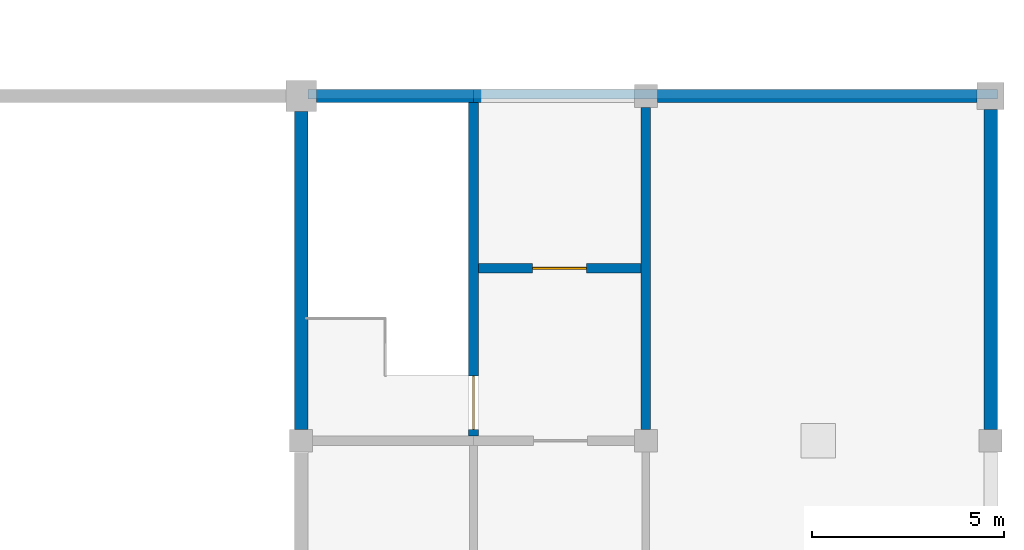
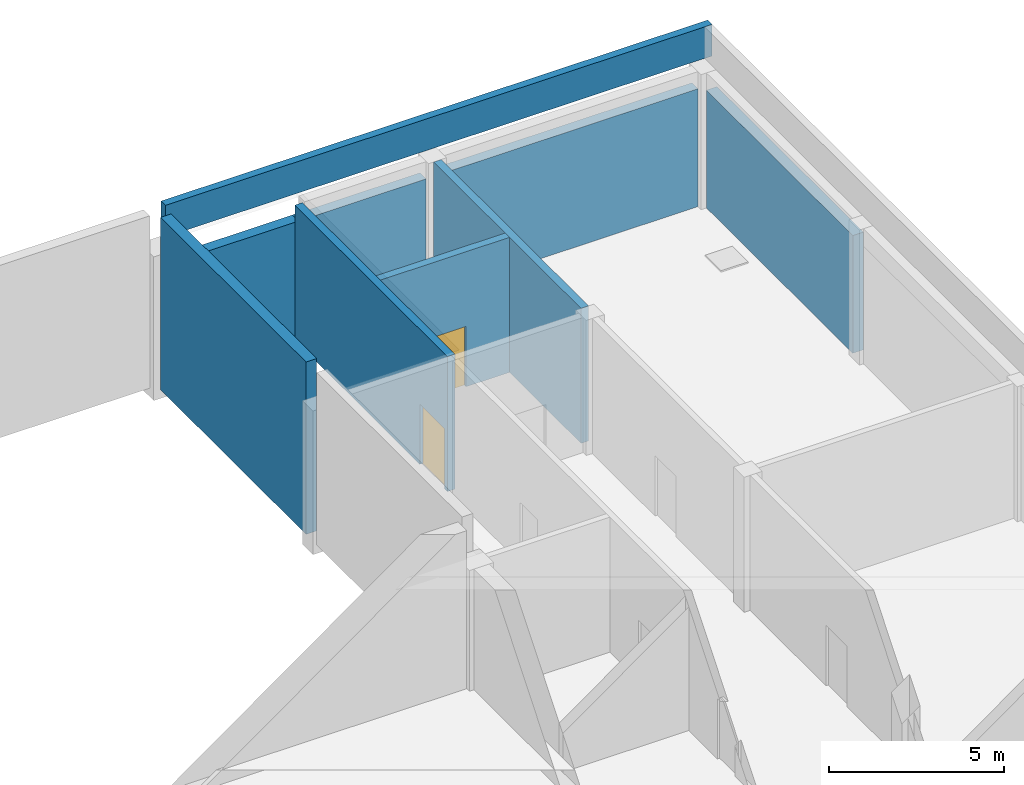
# One storey, part 28 of 35: 9 walls, 2 doors, 2 openings.
"""IFC4 building model written with IfcOpenShell, lengths in metres."""

import ifcopenshell
import ifcopenshell.guid

model = None  # the IFC model being written
_history = None  # IfcOwnerHistory: only IFC2X3 demands one
_inside = {}  # id of a spatial element -> (the spatial element, [elements in it])
_under = {}  # id of a project, library or spatial element -> (it, [spatial elements below it])
_declared = {}  # id of a project -> (the project, [libraries it declares])
_typed = {}  # id of a type object -> (the type object, [elements of that type])
_made_of = {}  # id of a material, layer set ... -> (it, [elements and type objects made of it])


def new_model(schema):
    """Start an empty IFC model of exactly this schema.

    Asked for "IFC4X3", IfcOpenShell would pick the latest addendum, in which some entities
    have other attributes; the version numbers below select the first issue.
    IFC2X3 requires an IfcOwnerHistory on every rooted entity: one is made here for all.
    """
    global model, _history
    if schema == "IFC4X3":
        model = ifcopenshell.file(schema_version=(4, 3, 0, 0))
    else:
        model = ifcopenshell.file(schema=schema)
    _inside.clear()
    _under.clear()
    _declared.clear()
    _typed.clear()
    _made_of.clear()
    _history = None
    if model.schema == "IFC2X3":
        org = make("IfcOrganization", Name="unknown")
        user = make(
            "IfcPersonAndOrganization",
            ThePerson=make("IfcPerson", FamilyName="unknown"),
            TheOrganization=org,
        )
        app = make(
            "IfcApplication",
            ApplicationDeveloper=org,
            Version="unknown",
            ApplicationFullName="unknown",
            ApplicationIdentifier="unknown",
        )
        _history = make(
            "IfcOwnerHistory",
            OwningUser=user,
            OwningApplication=app,
            ChangeAction="ADDED",
            CreationDate=0,
        )
    return model


def make(cls, **values):
    """One entity of the class cls with the attributes given. An attribute that is None is left unset."""
    return model.create_entity(
        cls, **{name: value for name, value in values.items() if value is not None}
    )


def rooted(cls, **values):
    """An entity with a GlobalId (a new one), such as an element, a storey or a relation."""
    return make(cls, GlobalId=ifcopenshell.guid.new(), OwnerHistory=_history, **values)


def si_unit(unit_type, name, prefix=None):
    """IfcSIUnit, for example si_unit("LENGTHUNIT", "METRE", prefix="MILLI")."""
    return make("IfcSIUnit", UnitType=unit_type, Prefix=prefix, Name=name)


def assignment(units):
    """IfcUnitAssignment: the units of a project."""
    return None if units is None else make("IfcUnitAssignment", Units=units)


def point(xyz):
    """IfcCartesianPoint."""
    return None if xyz is None else make("IfcCartesianPoint", Coordinates=xyz)


def direction(xyz):
    """IfcDirection."""
    return None if xyz is None else make("IfcDirection", DirectionRatios=xyz)


def frame(location, z_axis=None, x_axis=None):
    """IfcAxis2Placement3D, a coordinate frame: its origin and axes. An axis left out is left unset."""
    return make(
        "IfcAxis2Placement3D",
        Location=point(location),
        Axis=direction(z_axis),
        RefDirection=direction(x_axis),
    )


def frame_2d(location, x_axis=None):
    """IfcAxis2Placement2D, a coordinate frame in the plane: its origin and x axis."""
    return make(
        "IfcAxis2Placement2D", Location=point(location), RefDirection=direction(x_axis)
    )


def origin():
    """The frame at (0, 0, 0) with its axes left unset."""
    return frame((0.0, 0.0, 0.0))


def place(relative_to, where):
    """IfcLocalPlacement: puts the frame where relative to a parent placement (None: the world)."""
    return make(
        "IfcLocalPlacement", PlacementRelTo=relative_to, RelativePlacement=where
    )


def context(
    kind, dimensions, precision=None, world=None, true_north=None, identifier=None
):
    """IfcGeometricRepresentationContext, for example the 3D "Model" context."""
    return make(
        "IfcGeometricRepresentationContext",
        ContextIdentifier=identifier,
        ContextType=kind,
        CoordinateSpaceDimension=dimensions,
        Precision=precision,
        WorldCoordinateSystem=world,
        TrueNorth=true_north,
    )


def subcontext(parent, identifier, kind, view, scale=None):
    """IfcGeometricRepresentationSubContext, for example "Body" below "Model"."""
    return make(
        "IfcGeometricRepresentationSubContext",
        ContextIdentifier=identifier,
        ContextType=kind,
        ParentContext=parent,
        TargetScale=scale,
        TargetView=view,
    )


def project(units=None, contexts=None):
    """IfcProject with its units and contexts."""
    return rooted(
        "IfcProject",
        Name="project",
        RepresentationContexts=contexts,
        UnitsInContext=assignment(units),
    )


def spatial(cls, under=None, at=None, **own):
    """A site, building, storey or space (cls), placed at a placement, below another one or the project."""
    s = rooted(cls, ObjectPlacement=at, **own)
    if under is not None:
        _under.setdefault(under.id(), (under, []))[1].append(s)
    return s


def profile(cls, at=None, kind="AREA", **sizes):
    """A parametric profile (cls). Its sizes go by their IFC names, for example OverallWidth=200.0."""
    return make(cls, ProfileType=kind, Position=at, **sizes)


def rectangle(**sizes):
    """IfcRectangleProfileDef."""
    return profile("IfcRectangleProfileDef", **sizes)


def extrude(swept, where, along, depth):
    """IfcExtrudedAreaSolid: the profile swept, set in the frame where, extruded along a direction by depth."""
    return make(
        "IfcExtrudedAreaSolid",
        SweptArea=swept,
        Position=where,
        ExtrudedDirection=direction(along),
        Depth=depth,
    )


def shape(context_of_items, identifier, shape_type, items):
    """IfcShapeRepresentation: the items that make up one representation, for example the "Body"."""
    return make(
        "IfcShapeRepresentation",
        ContextOfItems=context_of_items,
        RepresentationIdentifier=identifier,
        RepresentationType=shape_type,
        Items=items,
    )


def material(Name=None, Category=None):
    """IfcMaterial."""
    return make("IfcMaterial", Name=Name, Category=Category)


def layer(
    of_material, thickness, ventilated=None, Name=None, Category=None, Priority=None
):
    """IfcMaterialLayer: one layer of a wall or slab, of a material (None: an air gap)."""
    return make(
        "IfcMaterialLayer",
        Material=of_material,
        LayerThickness=thickness,
        IsVentilated=ventilated,
        Name=Name,
        Category=Category,
        Priority=Priority,
    )


def layer_set(layers, Name=None):
    """IfcMaterialLayerSet."""
    return make("IfcMaterialLayerSet", MaterialLayers=layers, LayerSetName=Name)


def made_of(thing, what):
    """Note that an element or type object is made of a material, layer set ...; save() writes the relation."""
    if what is not None:
        _made_of.setdefault(what.id(), (what, []))[1].append(thing)
    return thing


def type_object(cls, material=None, **own):
    """A type object (cls), such as IfcWallType, which elements share."""
    return made_of(rooted(cls, **own), material)


def element(
    cls,
    number,
    at=None,
    inside=None,
    cuts=None,
    type_object=None,
    material=None,
    context=None,
    identifier="Body",
    shape_type=None,
    held_by="IfcProductDefinitionShape",
    body=None,
    shapes=None,
    **own,
):
    """One element of the class cls, such as IfcWall. Its Tag is "e" and its number.

    at: its placement. inside: the storey or other place that contains it. cuts: it is an
    opening in that element (IfcRelVoidsElement). A single representation is given by context,
    identifier, shape_type and body (its items); several are given by shapes. held_by: the class
    of the entity that holds the representations. save() writes the other relations.
    """
    e = rooted(cls, Tag="e%d" % number, ObjectPlacement=at, **own)
    if body is not None:
        shapes = [shape(context, identifier, shape_type, body)]
    if shapes is not None:
        e.Representation = make(held_by, Representations=shapes)
    if inside is not None:
        _inside.setdefault(inside.id(), (inside, []))[1].append(e)
    if cuts is not None:
        rooted(
            "IfcRelVoidsElement", RelatingBuildingElement=cuts, RelatedOpeningElement=e
        )
    if type_object is not None:
        _typed.setdefault(type_object.id(), (type_object, []))[1].append(e)
    return made_of(e, material)


def fill(opening, filler):
    """IfcRelFillsElement: the door or window that sits in an opening."""
    return rooted(
        "IfcRelFillsElement",
        RelatingOpeningElement=opening,
        RelatedBuildingElement=filler,
    )


def aggregate(whole, parts):
    """IfcRelAggregates: a whole, such as a stair, and the parts it consists of."""
    return rooted("IfcRelAggregates", RelatingObject=whole, RelatedObjects=parts)


def save(model, path):
    """Write the relations noted so far, then the file.

    IfcRelAggregates (storeys below a building ...), IfcRelContainedInSpatialStructure (elements
    in a storey), IfcRelDefinesByType, IfcRelAssociatesMaterial and IfcRelDeclares: one each for
    every whole, place, type object, material and project.
    """
    for whole, parts in _under.values():
        aggregate(whole, parts)
    for where, things in _inside.values():
        rooted(
            "IfcRelContainedInSpatialStructure",
            RelatedElements=things,
            RelatingStructure=where,
        )
    for kind, things in _typed.values():
        rooted("IfcRelDefinesByType", RelatedObjects=things, RelatingType=kind)
    for what, things in _made_of.values():
        rooted("IfcRelAssociatesMaterial", RelatedObjects=things, RelatingMaterial=what)
    for by, libraries in _declared.values():
        rooted("IfcRelDeclares", RelatingContext=by, RelatedDefinitions=libraries)
    model.write(path)


model = new_model("IFC4")

# Units and contexts
model_context = context("Model", 3, precision=1e-05, world=origin(), true_north=direction((0.0, 1.0)))
body_context = subcontext(model_context, "Body", "Model", "MODEL_VIEW")
ifc_project = project(units=[si_unit("LENGTHUNIT", "METRE"), si_unit("AREAUNIT", "SQUARE_METRE"), si_unit("VOLUMEUNIT", "CUBIC_METRE"), si_unit("PLANEANGLEUNIT", "RADIAN"), si_unit("MASSUNIT", "GRAM", prefix="KILO")], contexts=[model_context])

# Site, building, storey
site_placement = place(None, origin())
site = spatial("IfcSite", under=ifc_project, at=site_placement, CompositionType="ELEMENT")
building_placement = place(site_placement, origin())
building = spatial("IfcBuilding", under=site, at=building_placement, Name="Firuza Court", CompositionType="ELEMENT")
storey_placement = place(building_placement, frame((0.0, 0.0, 24.0)))
storey = spatial("IfcBuildingStorey", under=building, at=storey_placement, Name="L04", CompositionType="ELEMENT", Elevation=24.0)

# Wall
ifc_material_1 = material(Name="Concrete C30/37", Category="concrete")
ifc_layer_1 = layer(ifc_material_1, 0.25)
ifc_layer_set_1 = layer_set([ifc_layer_1], Name="Concrete C30/37")
wall_type_1 = type_object("IfcWallType", Name="HALL PARAPET 250", PredefinedType="STANDARD", material=ifc_layer_set_1)
wall_1_placement = place(storey_placement, frame((135.175048828125, 45.050048828125, 5.0), z_axis=(0.0, 0.0, 1.0), x_axis=(1.0, 0.0, 0.0)))
element("IfcWall", 1, at=wall_1_placement, inside=storey, type_object=wall_type_1, Name="Roof parapet 3", PredefinedType="STANDARD", context=body_context, shape_type="SweptSolid", body=[
    extrude(rectangle(XDim=18.0, YDim=0.25, at=frame_2d((9.0, 0.0))), origin(), (0.0, 0.0, 1.0), 1.10009765625),
])

# Wall, opening, door
ifc_material_2 = material(Name="Concrete C40/50", Category="concrete")
ifc_layer_2 = layer(ifc_material_2, 0.25)
ifc_layer_set_2 = layer_set([ifc_layer_2], Name="Concrete C40/50")
wall_type_2 = type_object("IfcWallType", Name="HALL RC WALL 250", PredefinedType="STANDARD", material=ifc_layer_set_2)
wall_2_placement = place(storey_placement, frame((139.625, 40.5, 0.0), z_axis=(0.0, 0.0, 1.0), x_axis=(1.0, 0.0, 0.0)))
wall_2 = element("IfcWall", 2, at=wall_2_placement, inside=storey, type_object=wall_type_2, Name="Wall L04.43", PredefinedType="STANDARD", context=body_context, shape_type="SweptSolid", body=[
    extrude(rectangle(XDim=4.25, YDim=0.25, at=frame_2d((2.125, 0.0))), origin(), (0.0, 0.0, 1.0), 4.699951171875),
])
opening_1_placement = place(wall_2_placement, frame((1.419921875, 0.0, 0.0)))
opening_1 = element("IfcOpeningElement", 3, at=opening_1_placement, cuts=wall_2, Name="Opening H153", PredefinedType="OPENING", context=body_context, shape_type="SweptSolid", body=[
    extrude(rectangle(XDim=1.39990234375, YDim=2.10009765625, at=frame_2d((0.699951171875, 1.050048828125))), frame((0.0, 0.136962890625, 0.0), z_axis=(0.0, -1.0, 0.0), x_axis=(1.0, 0.0, 0.0)), (0.0, 0.0, 1.0), 0.27392578125),
])
ifc_material_3 = material(Name="Timber", Category="wood")
door_type = type_object("IfcDoorType", Name="HALL DOOR 1400X2100", OperationType="DOUBLE_DOOR_SINGLE_SWING", PredefinedType="DOOR", material=ifc_material_3)
door_1_placement = place(opening_1_placement, origin())
door_1 = element("IfcDoor", 4, at=door_1_placement, inside=storey, type_object=door_type, Name="Exit door stair H4 passage", OperationType="DOUBLE_DOOR_SINGLE_SWING", OverallHeight=2.10009765625, OverallWidth=1.39990234375, PredefinedType="DOOR", context=body_context, shape_type="SweptSolid", body=[
    extrude(rectangle(XDim=1.39990234375, YDim=2.10009765625, at=frame_2d((0.699951171875, 1.050048828125))), frame((0.0, 0.02490234375, 0.0), z_axis=(0.0, -1.0, 0.0), x_axis=(1.0, 0.0, 0.0)), (0.0, 0.0, 1.0), 0.050048828125),
])
fill(opening_1, door_1)

wall_3_placement = place(storey_placement, frame((139.5, 36.125, 0.0), z_axis=(0.0, 0.0, 1.0), x_axis=(0.0, 1.0, 0.0)))
wall_3 = element("IfcWall", 5, at=wall_3_placement, inside=storey, type_object=wall_type_2, Name="Wall L04.83", PredefinedType="STANDARD", context=body_context, shape_type="SweptSolid", body=[
    extrude(rectangle(XDim=8.699951171875, YDim=0.25, at=frame_2d((4.35009765625, 0.0))), origin(), (0.0, 0.0, 1.0), 4.699951171875),
])
opening_2_placement = place(wall_3_placement, frame((0.169921875, 0.0, 0.0)))
opening_2 = element("IfcOpeningElement", 6, at=opening_2_placement, cuts=wall_3, Name="Opening H151", PredefinedType="OPENING", context=body_context, shape_type="SweptSolid", body=[
    extrude(rectangle(XDim=1.39990234375, YDim=2.10009765625, at=frame_2d((0.699951171875, 1.050048828125))), frame((0.0, 0.136962890625, 0.0), z_axis=(0.0, -1.0, 0.0), x_axis=(1.0, 0.0, 0.0)), (0.0, 0.0, 1.0), 0.27392578125),
])
door_2_placement = place(opening_2_placement, origin())
door_2 = element("IfcDoor", 7, at=door_2_placement, inside=storey, type_object=door_type, Name="Stair H4 door", OperationType="DOUBLE_DOOR_SINGLE_SWING", OverallHeight=2.10009765625, OverallWidth=1.39990234375, PredefinedType="DOOR", context=body_context, shape_type="SweptSolid", body=[
    extrude(rectangle(XDim=1.39990234375, YDim=2.10009765625, at=frame_2d((0.699951171875, 1.050048828125))), frame((0.0, 0.02490234375, 0.0), z_axis=(0.0, -1.0, 0.0), x_axis=(1.0, 0.0, 0.0)), (0.0, 0.0, 1.0), 0.050048828125),
])
fill(opening_2, door_2)

# Walls
wall_4_placement = place(storey_placement, frame((144.0, 36.300048828125, 0.0), z_axis=(0.0, 0.0, 1.0), x_axis=(0.0, 1.0, 0.0)))
element("IfcWall", 8, at=wall_4_placement, inside=storey, type_object=wall_type_2, Name="Wall L04.90", PredefinedType="STANDARD", context=body_context, shape_type="SweptSolid", body=[
    extrude(rectangle(XDim=8.39990234375, YDim=0.25, at=frame_2d((4.199951171875, 0.0))), origin(), (0.0, 0.0, 1.0), 4.699951171875),
])
ifc_layer_3 = layer(ifc_material_2, 0.35009765625)
ifc_layer_set_3 = layer_set([ifc_layer_3], Name="Concrete C40/50")
wall_type_3 = type_object("IfcWallType", Name="HALL STAGE HOUSE WALL 350", PredefinedType="STANDARD", material=ifc_layer_set_3)
wall_5_placement = place(storey_placement, frame((135.0, 36.300048828125, 0.0), z_axis=(0.0, 0.0, 1.0), x_axis=(0.0, 1.0, 0.0)))
element("IfcWall", 9, at=wall_5_placement, inside=storey, type_object=wall_type_3, Name="Wall L04.80", PredefinedType="STANDARD", context=body_context, shape_type="SweptSolid", body=[
    extrude(rectangle(XDim=8.300048828125, YDim=0.35009765625, at=frame_2d((4.14990234375, 0.0))), origin(), (0.0, 0.0, 1.0), 6.0),
])
ifc_material_4 = material(Name="Concrete C30/37", Category="concrete")
ifc_layer_4 = layer(ifc_material_4, 0.300048828125)
ifc_material_5 = material(Name="Ceramic tile", Category="ceramic")
ifc_layer_5 = layer(ifc_material_5, 0.050048828125)
ifc_layer_set_4 = layer_set([ifc_layer_4, ifc_layer_5], Name="Concrete C30/37")
wall_type_4 = type_object("IfcWallType", Name="HALL TILE CLAD WALL 350", PredefinedType="STANDARD", material=ifc_layer_set_4)
wall_6_placement = place(storey_placement, frame((135.39990234375, 45.0, 0.0), z_axis=(0.0, 0.0, 1.0), x_axis=(1.0, 0.0, 0.0)))
element("IfcWall", 10, at=wall_6_placement, inside=storey, type_object=wall_type_4, Name="Wall L04.49", PredefinedType="STANDARD", context=body_context, shape_type="SweptSolid", body=[
    extrude(rectangle(XDim=4.10009765625, YDim=0.35009765625, at=frame_2d((2.050048828125, 0.0))), origin(), (0.0, 0.0, 1.0), 4.10009765625),
])
wall_7_placement = place(storey_placement, frame((139.5, 45.0, 0.0), z_axis=(0.0, 0.0, 1.0), x_axis=(1.0, 0.0, 0.0)))
element("IfcWall", 11, at=wall_7_placement, inside=storey, type_object=wall_type_4, Name="Wall L04.50", PredefinedType="STANDARD", context=body_context, shape_type="SweptSolid", body=[
    extrude(rectangle(XDim=4.199951171875, YDim=0.35009765625, at=frame_2d((2.10009765625, 0.0))), origin(), (0.0, 0.0, 1.0), 4.10009765625),
])
for number, where, z_axis, x_axis, name in (
    (12, (144.300048828125, 45.0, 0.0), (0.0, 0.0, 1.0), (1.0, 0.0, 0.0), "Wall L04.51"),
    (13, (153.0, 36.300048828125, 0.0), (0.0, 0.0, 1.0), (0.0, 1.0, 0.0), "Wall L04.99"),
):
    element("IfcWall", number, at=place(storey_placement, frame(where, z_axis=z_axis, x_axis=x_axis)), inside=storey, type_object=wall_type_4, Name=name, PredefinedType="STANDARD", context=body_context, shape_type="SweptSolid", body=[
        extrude(rectangle(XDim=8.349853515625, YDim=0.35009765625, at=frame_2d((4.1748046875, 0.0))), origin(), (0.0, 0.0, 1.0), 4.10009765625),
    ])

save(model, "model.ifc")
